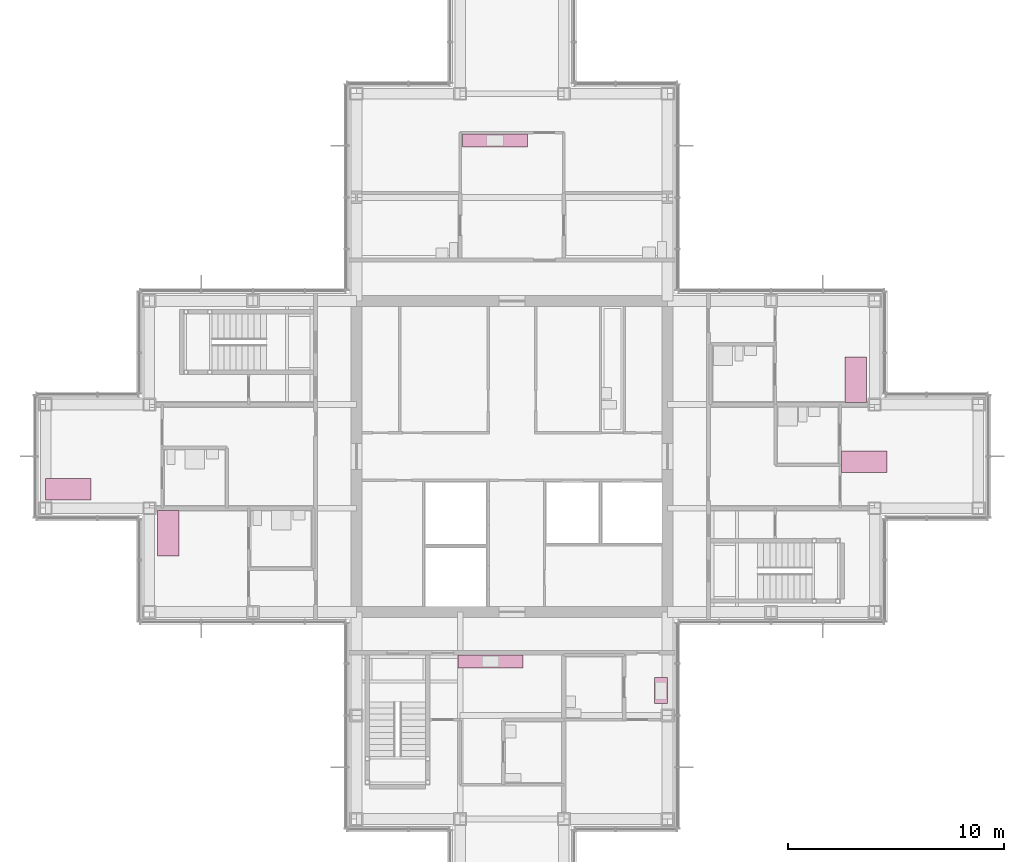
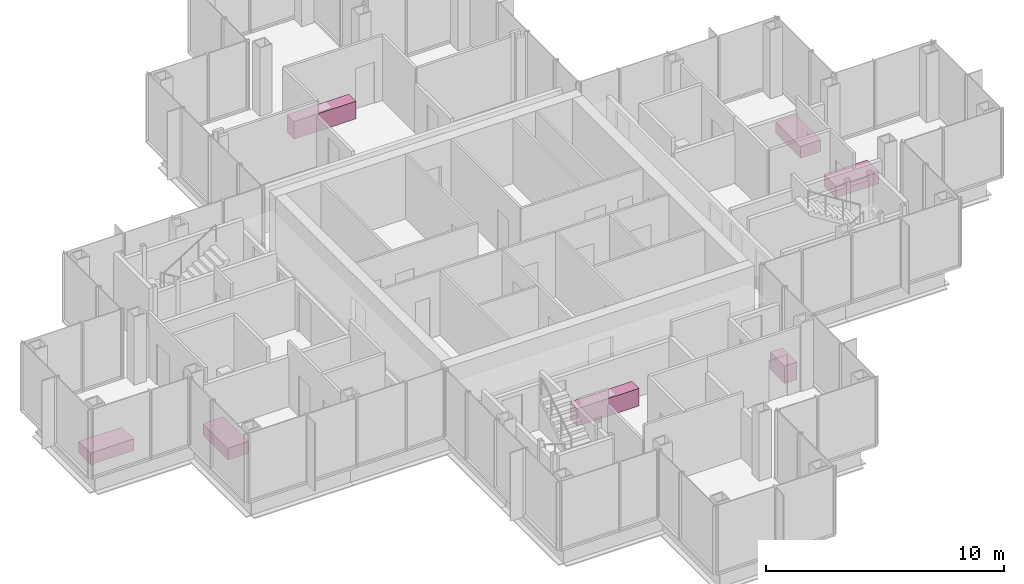
# One storey, part 17 of 17: 7 furniture elements.
"""IFC4 building model written with IfcOpenShell, lengths in metres."""

from ifc_helpers import new_model, si_unit, direction, frame, origin, origin_2d, place, context, subcontext, project, spatial, rectangle, extrude, material, type_object, element, save


model = new_model("IFC4")

# Units and contexts
model_context = context("Model", 3, precision=1e-05, world=origin(), true_north=direction((0.0, 1.0)))
body_context = subcontext(model_context, "Body", "Model", "MODEL_VIEW")
ifc_project = project(units=[si_unit("LENGTHUNIT", "METRE"), si_unit("AREAUNIT", "SQUARE_METRE"), si_unit("VOLUMEUNIT", "CUBIC_METRE"), si_unit("PLANEANGLEUNIT", "RADIAN"), si_unit("MASSUNIT", "GRAM", prefix="KILO")], contexts=[model_context])

# Site, building, storey
site_placement = place(None, origin())
site = spatial("IfcSite", under=ifc_project, at=site_placement, CompositionType="ELEMENT")
building_placement = place(site_placement, origin())
building = spatial("IfcBuilding", under=site, at=building_placement, Name="Kvirike Care Tower", CompositionType="ELEMENT")
storey_placement = place(building_placement, frame((0.0, 0.0, 155.0)))
storey = spatial("IfcBuildingStorey", under=building, at=storey_placement, Name="L42", CompositionType="ELEMENT", Elevation=155.0)

# Furniture
ifc_material_1 = material(Name="Steel frame", Category="steel")
furniture_type_1 = type_object("IfcFurnitureType", Name="CARE BED 1000 x 2100", AssemblyPlace="FACTORY", PredefinedType="BED", material=ifc_material_1)
for number, where, z_axis, x_axis, name in (
    (1, (1.052001953125, 34.469970703125, 0.0), (0.0, 0.0, 1.0), (0.0, 1.0, 0.0), "Care bed L42-005"),
    (2, (5.669921875, 32.447998046875, 0.0), (0.0, 0.0, 1.0), (1.0, 0.0, 0.0), "Care bed L42-008"),
    (3, (37.912109375, 35.75, 0.0), (0.0, 0.0, 1.0), (0.0, 1.0, 0.0), "Care bed L42-028"),
    (4, (37.530029296875, 39.552001953125, 0.0), (0.0, 0.0, 1.0), (-1.0, 0.0, 0.0), "Care bed L42-031"),
):
    element("IfcFurniture", number, at=place(storey_placement, frame(where, z_axis=z_axis, x_axis=x_axis)), inside=storey, type_object=furniture_type_1, Name=name, PredefinedType="BED", context=body_context, shape_type="SweptSolid", body=[
        extrude(rectangle(XDim=1.0, YDim=2.10009765625, at=origin_2d()), origin(), (0.0, 0.0, 1.0), 0.60009765625),
    ])
ifc_material_2 = material(Name="Laminated board", Category="wood")
furniture_type_2 = type_object("IfcFurnitureType", Name="KITCHEN UNIT RUN 600", AssemblyPlace="FACTORY", PredefinedType="USERDEFINED", material=ifc_material_2)
furniture_1_placement = place(storey_placement, frame((20.60009765625, 26.498046875, 0.0), z_axis=(0.0, 0.0, 1.0), x_axis=(1.0, 0.0, 0.0)))
element("IfcFurniture", 5, at=furniture_1_placement, inside=storey, type_object=furniture_type_2, Name="Kitchen unit run L42-015", ObjectType="KITCHEN UNIT", PredefinedType="USERDEFINED", context=body_context, shape_type="SweptSolid", body=[
    extrude(rectangle(XDim=3.0, YDim=0.60009765625, at=origin_2d()), origin(), (0.0, 0.0, 1.0), 0.89990234375),
])
furniture_2_placement = place(storey_placement, frame((28.498046875, 25.14990234375, 0.0), z_axis=(0.0, 0.0, 1.0), x_axis=(0.0, -1.0, 0.0)))
element("IfcFurniture", 6, at=furniture_2_placement, inside=storey, type_object=furniture_type_2, Name="Kitchen unit run L42-018", ObjectType="KITCHEN UNIT", PredefinedType="USERDEFINED", context=body_context, shape_type="SweptSolid", body=[
    extrude(rectangle(XDim=1.199951171875, YDim=0.60009765625, at=origin_2d()), origin(), (0.0, 0.0, 1.0), 0.89990234375),
])
furniture_3_placement = place(storey_placement, frame((20.81005859375, 50.637939453125, 0.0), z_axis=(0.0, 0.0, 1.0), x_axis=(1.0, 0.0, 0.0)))
element("IfcFurniture", 7, at=furniture_3_placement, inside=storey, type_object=furniture_type_2, Name="Kitchen unit run L42-023", ObjectType="KITCHEN UNIT", PredefinedType="USERDEFINED", context=body_context, shape_type="SweptSolid", body=[
    extrude(rectangle(XDim=3.0, YDim=0.60009765625, at=origin_2d()), origin(), (0.0, 0.0, 1.0), 0.89990234375),
])

save(model, "model.ifc")
